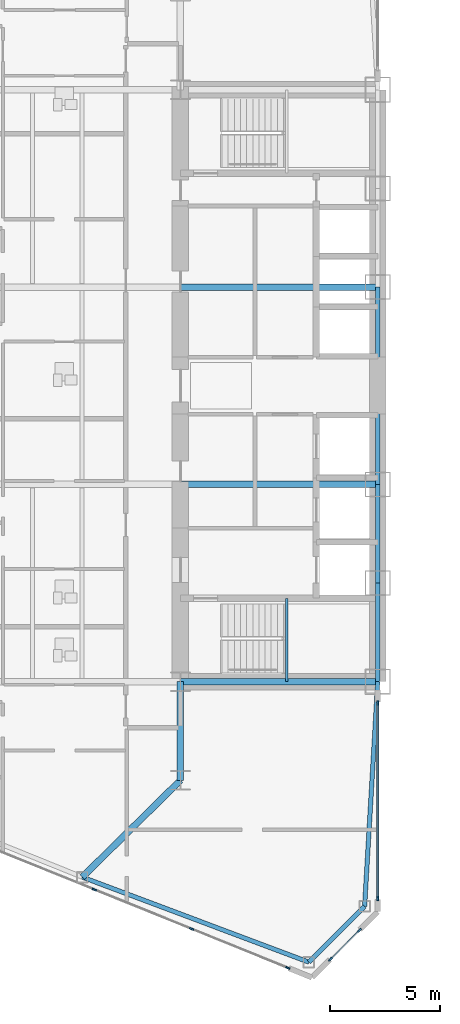
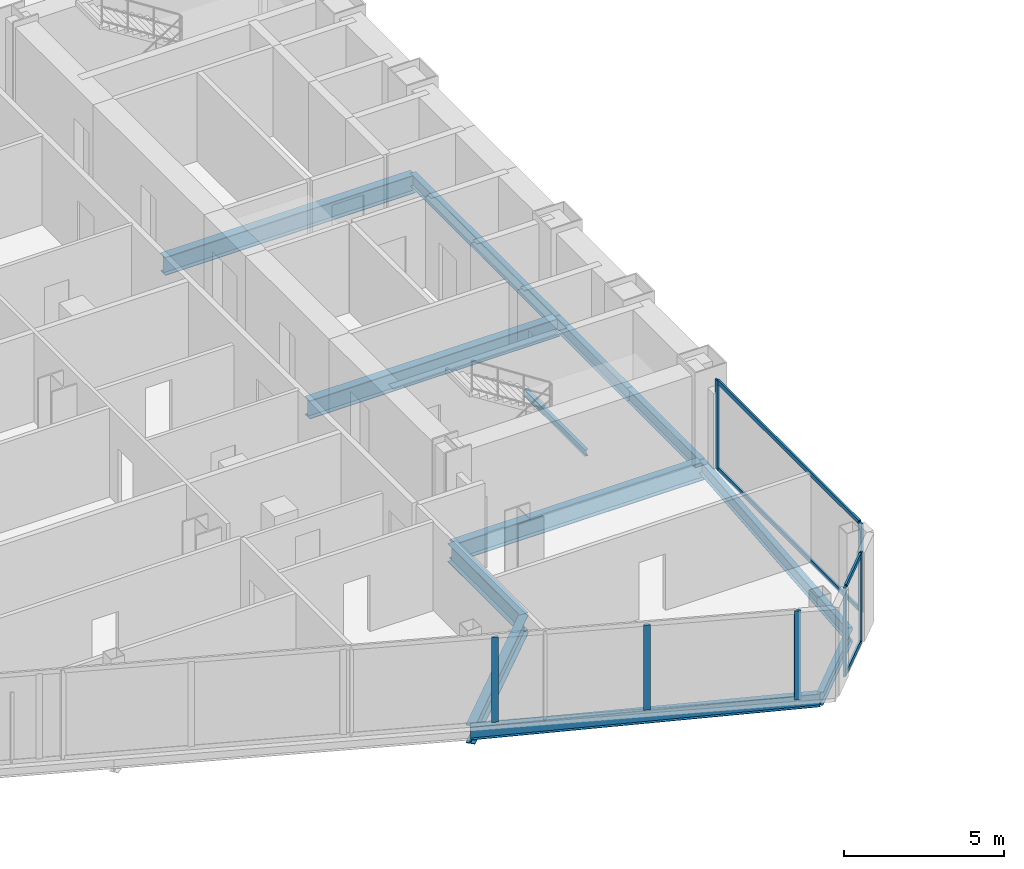
# One storey, part 5 of 25: 12 beams, 11 members, 3 elements without a shape of their own.
"""IFC4 building model written with IfcOpenShell, lengths in metres."""

from ifc_helpers import new_model, si_unit, direction, frame, origin, origin_2d, place, context, subcontext, project, spatial, rectangle, i_section, extrude, source, transform, mapped, material, layer, layer_set, material_profile, profile_set, type_object, type_shapes, element, aggregate, save


model = new_model("IFC4")

# Units and contexts
model_context = context("Model", 3, precision=1e-05, world=origin(), true_north=direction((0.0, 1.0)))
body_context = subcontext(model_context, "Body", "Model", "MODEL_VIEW")
ifc_project = project(units=[si_unit("LENGTHUNIT", "METRE"), si_unit("AREAUNIT", "SQUARE_METRE"), si_unit("VOLUMEUNIT", "CUBIC_METRE"), si_unit("PLANEANGLEUNIT", "RADIAN"), si_unit("MASSUNIT", "GRAM", prefix="KILO")], contexts=[model_context])

# Site, building, storey
site_placement = place(None, origin())
site = spatial("IfcSite", under=ifc_project, at=site_placement, CompositionType="ELEMENT")
building_placement = place(site_placement, origin())
building = spatial("IfcBuilding", under=site, at=building_placement, Name="Seokmaru Belvedere", CompositionType="ELEMENT")
storey_placement = place(building_placement, frame((0.0, 0.0, 40.5)))
storey = spatial("IfcBuildingStorey", under=building, at=storey_placement, Name="L10", CompositionType="ELEMENT", Elevation=40.5)

# Beams
ifc_material_1 = material(Name="Steel SM355 (355 MPa)", Category="steel")
ifc_material_profile_1 = material_profile(ifc_material_1, i_section(OverallWidth=0.199951171875, OverallDepth=0.5, WebThickness=0.010009765625, FlangeThickness=0.01611328125, at=origin_2d()), Name="H-500x200x10x16")
ifc_profile_set_1 = profile_set([ifc_material_profile_1], Name="Steel SM355 (355 MPa)")
beam_type_1 = type_object("IfcBeamType", Name="Perimeter Spandrel Beam H-500", PredefinedType="SPANDREL", material=ifc_profile_set_1)
shared_shape_1 = source(origin(), body_context, "Body", "SweptSolid", [
    extrude(i_section(OverallWidth=0.199951171875, OverallDepth=0.5, WebThickness=0.010009765625, FlangeThickness=0.01611328125, at=origin_2d()), origin(), (0.0, 0.0, 1.0), 4.5),
])
for number, where, z_axis, x_axis, name in (
    (1, (-27.5, -13.5, -0.469970703125), (0.0, 1.0, 0.0), (-1.0, 0.0, 0.0), "L10 W Portal Spine Spandrel 1"),
    (2, (-27.5, -9.0, -0.469970703125), (0.0, 1.0, 0.0), (-1.0, 0.0, 0.0), "L10 W Portal Spine Spandrel 2"),
):
    element("IfcBeam", number, at=place(storey_placement, frame(where, z_axis=z_axis, x_axis=x_axis)), inside=storey, type_object=beam_type_1, Name=name, PredefinedType="SPANDREL", context=body_context, shape_type="MappedRepresentation", body=[
        mapped(shared_shape_1, transform((0.0, 0.0, 0.0), scale=1.0)),
    ])
shared_shape_2 = source(origin(), body_context, "Body", "SweptSolid", [
    extrude(i_section(OverallWidth=0.199951171875, OverallDepth=0.5, WebThickness=0.010009765625, FlangeThickness=0.01611328125, at=origin_2d()), origin(), (0.0, 0.0, 1.0), 9.0),
])
beam_1_placement = place(storey_placement, frame((-27.5, -4.5, -0.469970703125), z_axis=(0.0, 1.0, 0.0), x_axis=(-1.0, 0.0, 0.0)))
element("IfcBeam", 3, at=beam_1_placement, inside=storey, type_object=beam_type_1, Name="L10 W Portal Spine Spandrel 3", PredefinedType="SPANDREL", context=body_context, shape_type="MappedRepresentation", body=[
    mapped(shared_shape_2, transform((0.0, 0.0, 0.0), scale=1.0)),
])
ifc_material_profile_2 = material_profile(ifc_material_1, i_section(OverallWidth=0.300048828125, OverallDepth=0.699951171875, WebThickness=0.012939453125, FlangeThickness=0.02392578125, at=origin_2d()), Name="H-700x300x13x24")
ifc_profile_set_2 = profile_set([ifc_material_profile_2], Name="Steel SM355 (355 MPa)")
beam_type_2 = type_object("IfcBeamType", Name="Primary Floor Girder H-700", PredefinedType="BEAM", material=ifc_profile_set_2)
shared_shape_3 = source(origin(), body_context, "Body", "SweptSolid", [
    extrude(i_section(OverallWidth=0.300048828125, OverallDepth=0.699951171875, WebThickness=0.012939453125, FlangeThickness=0.02392578125, at=origin_2d()), origin(), (0.0, 0.0, 1.0), 4.5),
])
beam_2_placement = place(storey_placement, frame((-36.5, -18.0, -0.570068359375), z_axis=(0.0, 1.0, 0.0), x_axis=(-1.0, 0.0, 0.0)))
element("IfcBeam", 4, at=beam_2_placement, inside=storey, type_object=beam_type_2, Name="L10 W Core Shoulder Girder S", PredefinedType="BEAM", context=body_context, shape_type="MappedRepresentation", body=[
    mapped(shared_shape_3, transform((0.0, 0.0, 0.0), scale=1.0)),
])
shared_shape_4 = source(origin(), body_context, "Body", "SweptSolid", [
    extrude(i_section(OverallWidth=0.300048828125, OverallDepth=0.699951171875, WebThickness=0.012939453125, FlangeThickness=0.02392578125, at=origin_2d()), origin(), (0.0, 0.0, 1.0), 9.0),
])
for number, where, z_axis, x_axis, name in (
    (5, (-36.5, -13.5, -0.570068359375), (1.0, 0.0, 0.0), (0.0, 1.0, 0.0), "L10 W Core Tie Girder 1"),
    (6, (-36.5, -4.5, -0.570068359375), (1.0, 0.0, 0.0), (0.0, 1.0, 0.0), "L10 W Core Tie Girder 2"),
    (7, (-36.5, 4.5, -0.570068359375), (1.0, 0.0, 0.0), (0.0, 1.0, 0.0), "L10 W Core Tie Girder 3"),
):
    element("IfcBeam", number, at=place(storey_placement, frame(where, z_axis=z_axis, x_axis=x_axis)), inside=storey, type_object=beam_type_2, Name=name, PredefinedType="BEAM", context=body_context, shape_type="MappedRepresentation", body=[
        mapped(shared_shape_4, transform((0.0, 0.0, 0.0), scale=1.0)),
    ])
shared_shape_5 = source(origin(), body_context, "Body", "SweptSolid", [
    extrude(i_section(OverallWidth=0.199951171875, OverallDepth=0.5, WebThickness=0.010009765625, FlangeThickness=0.01611328125, at=origin_2d()), origin(), (0.0, 0.0, 1.0), 11.03857421875),
])
beam_3_placement = place(storey_placement, frame((-30.643310546875, -26.294677734375, -0.469970703125), z_axis=(-0.936169110734, 0.351549990907, 0.0), x_axis=(-0.351549990907, -0.936169110734, 0.0)))
element("IfcBeam", 8, at=beam_3_placement, inside=storey, type_object=beam_type_1, Name="L10 W Faceted Flank Spandrel S-1", PredefinedType="SPANDREL", context=body_context, shape_type="MappedRepresentation", body=[
    mapped(shared_shape_5, transform((0.0, 0.0, 0.0), scale=1.0)),
])
shared_shape_6 = source(origin(), body_context, "Body", "SweptSolid", [
    extrude(i_section(OverallWidth=0.199951171875, OverallDepth=0.5, WebThickness=0.010009765625, FlangeThickness=0.01611328125, at=origin_2d()), origin(), (0.0, 0.0, 1.0), 3.5966796875),
])
beam_4_placement = place(storey_placement, frame((-30.643310546875, -26.294677734375, -0.469970703125), z_axis=(0.707106781187, 0.707106781187, 0.0), x_axis=(-0.707106781187, 0.707106781187, 0.0)))
element("IfcBeam", 9, at=beam_4_placement, inside=storey, type_object=beam_type_1, Name="L10 W Shoulder Chamfer Spandrel S", PredefinedType="SPANDREL", context=body_context, shape_type="MappedRepresentation", body=[
    mapped(shared_shape_6, transform((0.0, 0.0, 0.0), scale=1.0)),
])
shared_shape_7 = source(origin(), body_context, "Body", "SweptSolid", [
    extrude(i_section(OverallWidth=0.199951171875, OverallDepth=0.5, WebThickness=0.010009765625, FlangeThickness=0.01611328125, at=origin_2d()), origin(), (0.0, 0.0, 1.0), 10.26904296875),
])
type_shapes(beam_type_1, [shared_shape_1, shared_shape_2, shared_shape_5, shared_shape_6, shared_shape_7])
beam_5_placement = place(storey_placement, frame((-28.10009765625, -23.75146484375, -0.469970703125), z_axis=(0.058437709399, 0.998291056817, 0.0), x_axis=(-0.998291056817, 0.058437709399, 0.0)))
element("IfcBeam", 10, at=beam_5_placement, inside=storey, type_object=beam_type_1, Name="L10 W Shoulder Spine Spandrel S", PredefinedType="SPANDREL", context=body_context, shape_type="MappedRepresentation", body=[
    mapped(shared_shape_7, transform((0.0, 0.0, 0.0), scale=1.0)),
])
shared_shape_8 = source(origin(), body_context, "Body", "SweptSolid", [
    extrude(i_section(OverallWidth=0.300048828125, OverallDepth=0.699951171875, WebThickness=0.012939453125, FlangeThickness=0.02392578125, at=origin_2d()), origin(), (0.0, 0.0, 1.0), 6.287353515625),
])
type_shapes(beam_type_2, [shared_shape_3, shared_shape_4, shared_shape_8])
beam_6_placement = place(storey_placement, frame((-40.977294921875, -22.4140625, -0.570068359375), z_axis=(0.712117485263, 0.702060315915, 0.0), x_axis=(-0.702060315915, 0.712117485263, 0.0)))
element("IfcBeam", 11, at=beam_6_placement, inside=storey, type_object=beam_type_2, Name="L10 W Flank Radial Floor Girder S-1", PredefinedType="BEAM", context=body_context, shape_type="MappedRepresentation", body=[
    mapped(shared_shape_8, transform((0.0, 0.0, 0.0), scale=1.0)),
])

# Curtain wall, members
ifc_material_2 = material(Name="Bronze Triple Insulating Glass", Category="glass")
ifc_layer = layer(ifc_material_2, 0.2099609375)
ifc_layer_set = layer_set([ifc_layer], Name="Bronze Triple Insulating Glass")
curtain_wall_type = type_object("IfcCurtainWallType", Name="Low-Rise Faceted Crystal Curtain Wall System CW-2", PredefinedType="NOTDEFINED", material=ifc_layer_set)
curtain_wall_1_placement = place(storey_placement, origin())
curtain_wall_1 = element("IfcCurtainWall", 12, at=curtain_wall_1_placement, inside=storey, type_object=curtain_wall_type, Name="L10 Curtain Wall WSP_1", PredefinedType="NOTDEFINED")
ifc_material_3 = material(Name="Anodised Bronze Aluminium", Category="aluminium")
ifc_material_profile_3 = material_profile(ifc_material_3, rectangle(XDim=0.070068359375, YDim=0.1650390625, at=origin_2d()), Name="CW-T-70x165")
ifc_profile_set_3 = profile_set([ifc_material_profile_3], Name="Anodised Bronze Aluminium")
member_type_1 = type_object("IfcMemberType", Name="Bronze Unitised Transom 70x165", PredefinedType="USERDEFINED", material=ifc_profile_set_3)
shared_shape_9 = source(origin(), body_context, "Body", "SweptSolid", [
    extrude(rectangle(XDim=0.070068359375, YDim=0.1650390625, at=origin_2d()), origin(), (0.0, 0.0, 1.0), 8.85009765625),
])
member_1_placement = place(storey_placement, frame((-27.5, -23.35498046875, 0.034912109375), z_axis=(0.0, 1.0, 0.0), x_axis=(-1.0, 0.0, 0.0)))
member_1 = element("IfcMember", 13, at=member_1_placement, type_object=member_type_1, Name="CW:L10:WSP_1 Continuous Transom 1", ObjectType="TRANSOM", PredefinedType="USERDEFINED", context=body_context, shape_type="MappedRepresentation", body=[
    mapped(shared_shape_9, transform((0.0, 0.0, 0.0), scale=1.0)),
])
member_2_placement = place(storey_placement, frame((-27.5, -23.35498046875, 3.344970703125), z_axis=(0.0, 1.0, 0.0), x_axis=(-1.0, 0.0, 0.0)))
member_2 = element("IfcMember", 14, at=member_2_placement, type_object=member_type_1, Name="CW:L10:WSP_1 Continuous Transom 2", ObjectType="TRANSOM", PredefinedType="USERDEFINED", context=body_context, shape_type="MappedRepresentation", body=[
    mapped(shared_shape_9, transform((0.0, 0.0, 0.0), scale=1.0)),
])

curtain_wall_2_placement = place(storey_placement, origin())
curtain_wall_2 = element("IfcCurtainWall", 15, at=curtain_wall_2_placement, inside=storey, type_object=curtain_wall_type, Name="L10 Curtain Wall WF6", PredefinedType="NOTDEFINED")
shared_shape_10 = source(origin(), body_context, "Body", "SweptSolid", [
    extrude(rectangle(XDim=0.070068359375, YDim=0.1650390625, at=origin_2d()), origin(), (0.0, 0.0, 1.0), 1.792724609375),
])
type_shapes(member_type_1, [shared_shape_9, shared_shape_10])
member_3_placement = place(storey_placement, frame((-29.6337890625, -26.1337890625, 0.034912109375), z_axis=(0.707106781187, 0.707106781187, 0.0), x_axis=(-0.707106781187, 0.707106781187, 0.0)))
member_3 = element("IfcMember", 16, at=member_3_placement, type_object=member_type_1, Name="CW:L10:WF6 Continuous Transom 1", ObjectType="TRANSOM", PredefinedType="USERDEFINED", context=body_context, shape_type="MappedRepresentation", body=[
    mapped(shared_shape_10, transform((0.0, 0.0, 0.0), scale=1.0)),
])
member_4_placement = place(storey_placement, frame((-29.6337890625, -26.1337890625, 3.344970703125), z_axis=(0.707106781187, 0.707106781187, 0.0), x_axis=(-0.707106781187, 0.707106781187, 0.0)))
member_4 = element("IfcMember", 17, at=member_4_placement, type_object=member_type_1, Name="CW:L10:WF6 Continuous Transom 2", ObjectType="TRANSOM", PredefinedType="USERDEFINED", context=body_context, shape_type="MappedRepresentation", body=[
    mapped(shared_shape_10, transform((0.0, 0.0, 0.0), scale=1.0)),
])

curtain_wall_3_placement = place(storey_placement, origin())
curtain_wall_3 = element("IfcCurtainWall", 18, at=curtain_wall_3_placement, inside=storey, type_object=curtain_wall_type, Name="L10 Curtain Wall WF5", PredefinedType="NOTDEFINED")
ifc_material_profile_4 = material_profile(ifc_material_3, rectangle(XDim=0.074951171875, YDim=0.2099609375, at=origin_2d()), Name="CW-M-75x210")
ifc_profile_set_4 = profile_set([ifc_material_profile_4], Name="Anodised Bronze Aluminium")
member_type_2 = type_object("IfcMemberType", Name="Bronze Unitised Mullion 75x210", PredefinedType="MULLION", material=ifc_profile_set_4)
shared_shape_11 = source(origin(), body_context, "Body", "SweptSolid", [
    extrude(rectangle(XDim=0.074951171875, YDim=0.2099609375, at=origin_2d()), origin(), (0.0, 0.0, 1.0), 3.239990234375),
])
member_5_placement = place(storey_placement, frame((-40.425537109375, -22.982421875, 0.070068359375), z_axis=(0.0, 0.0, 1.0), x_axis=(0.375192321888, 0.926946989637, 0.0)))
member_5 = element("IfcMember", 19, at=member_5_placement, type_object=member_type_2, Name="CW:L10:WF5 Mullion 8", PredefinedType="MULLION", context=body_context, shape_type="MappedRepresentation", body=[
    mapped(shared_shape_11, transform((0.0, 0.0, 0.0), scale=1.0)),
])
member_6_placement = place(storey_placement, frame((-35.995849609375, -24.775390625, 0.070068359375), z_axis=(0.0, 0.0, 1.0), x_axis=(0.375192321888, 0.926946989637, 0.0)))
member_6 = element("IfcMember", 20, at=member_6_placement, type_object=member_type_2, Name="CW:L10:WF5 Mullion 9", PredefinedType="MULLION", context=body_context, shape_type="MappedRepresentation", body=[
    mapped(shared_shape_11, transform((0.0, 0.0, 0.0), scale=1.0)),
])

# Member
shared_shape_12 = source(origin(), body_context, "Body", "SweptSolid", [
    extrude(rectangle(XDim=0.074951171875, YDim=0.2099609375, at=origin_2d()), origin(), (0.0, 0.0, 1.0), 3.3798828125),
])
type_shapes(member_type_2, [shared_shape_11, shared_shape_12])
member_7_placement = place(storey_placement, frame((-27.5, -23.392578125, 0.0), z_axis=(0.0, 0.0, 1.0), x_axis=(-1.0, 0.0, 0.0)))
member_7 = element("IfcMember", 21, at=member_7_placement, type_object=member_type_2, Name="CW:L10:WSP_1 Mullion 1", PredefinedType="MULLION", context=body_context, shape_type="MappedRepresentation", body=[
    mapped(shared_shape_12, transform((0.0, 0.0, 0.0), scale=1.0)),
])

member_8_placement = place(storey_placement, frame((-27.5, -14.467529296875, 0.0), z_axis=(0.0, 0.0, 1.0), x_axis=(-1.0, 0.0, 0.0)))
member_8 = element("IfcMember", 22, at=member_8_placement, type_object=member_type_2, Name="CW:L10:WSP_1 Mullion 2", PredefinedType="MULLION", context=body_context, shape_type="MappedRepresentation", body=[
    mapped(shared_shape_12, transform((0.0, 0.0, 0.0), scale=1.0)),
])

aggregate(curtain_wall_1, [member_7, member_8, member_1, member_2])

member_9_placement = place(storey_placement, frame((-31.600830078125, -26.554443359375, 0.0), z_axis=(0.0, 0.0, 1.0), x_axis=(0.375192321888, 0.926946989637, 0.0)))
member_9 = element("IfcMember", 23, at=member_9_placement, type_object=member_type_2, Name="CW:L10:WF5 Mullion 10", PredefinedType="MULLION", context=body_context, shape_type="MappedRepresentation", body=[
    mapped(shared_shape_12, transform((0.0, 0.0, 0.0), scale=1.0)),
])

aggregate(curtain_wall_3, [member_5, member_6, member_9])

member_10_placement = place(storey_placement, frame((-29.660400390625, -26.160400390625, 0.0), z_axis=(0.0, 0.0, 1.0), x_axis=(-0.707106781187, 0.707106781187, 0.0)))
member_10 = element("IfcMember", 24, at=member_10_placement, type_object=member_type_2, Name="CW:L10:WF6 Mullion 1", PredefinedType="MULLION", context=body_context, shape_type="MappedRepresentation", body=[
    mapped(shared_shape_12, transform((0.0, 0.0, 0.0), scale=1.0)),
])

member_11_placement = place(storey_placement, frame((-28.339599609375, -24.839599609375, 0.0), z_axis=(0.0, 0.0, 1.0), x_axis=(-0.707106781187, 0.707106781187, 0.0)))
member_11 = element("IfcMember", 25, at=member_11_placement, type_object=member_type_2, Name="CW:L10:WF6 Mullion 2", PredefinedType="MULLION", context=body_context, shape_type="MappedRepresentation", body=[
    mapped(shared_shape_12, transform((0.0, 0.0, 0.0), scale=1.0)),
])

aggregate(curtain_wall_2, [member_10, member_11, member_3, member_4])

# Beam
ifc_material_profile_5 = material_profile(ifc_material_1, i_section(OverallWidth=0.125, OverallDepth=0.25, WebThickness=0.006103515625, FlangeThickness=0.009033203125, at=origin_2d()), Name="H-250x125x6x9")
ifc_profile_set_5 = profile_set([ifc_material_profile_5], Name="Steel SM355 (355 MPa)")
beam_type_3 = type_object("IfcBeamType", Name="Stair Mid-Landing Support Beam H-250", PredefinedType="JOIST", material=ifc_profile_set_5)
shared_shape_13 = source(origin(), body_context, "Body", "SweptSolid", [
    extrude(i_section(OverallWidth=0.125, OverallDepth=0.25, WebThickness=0.006103515625, FlangeThickness=0.009033203125, at=origin_2d()), origin(), (0.0, 0.0, 1.0), 3.800048828125),
])
type_shapes(beam_type_3, [shared_shape_13])
beam_7_placement = place(storey_placement, frame((-31.64990234375, -13.5, 1.47509765625), z_axis=(0.0, 1.0, 0.0), x_axis=(-1.0, 0.0, 0.0)))
element("IfcBeam", 26, at=beam_7_placement, inside=storey, type_object=beam_type_3, Name="L10 Stair ST-W1 Mid-Landing Support Beam 1", PredefinedType="JOIST", context=body_context, shape_type="MappedRepresentation", body=[
    mapped(shared_shape_13, transform((0.0, 0.0, 0.0), scale=1.0)),
])

save(model, "model.ifc")
